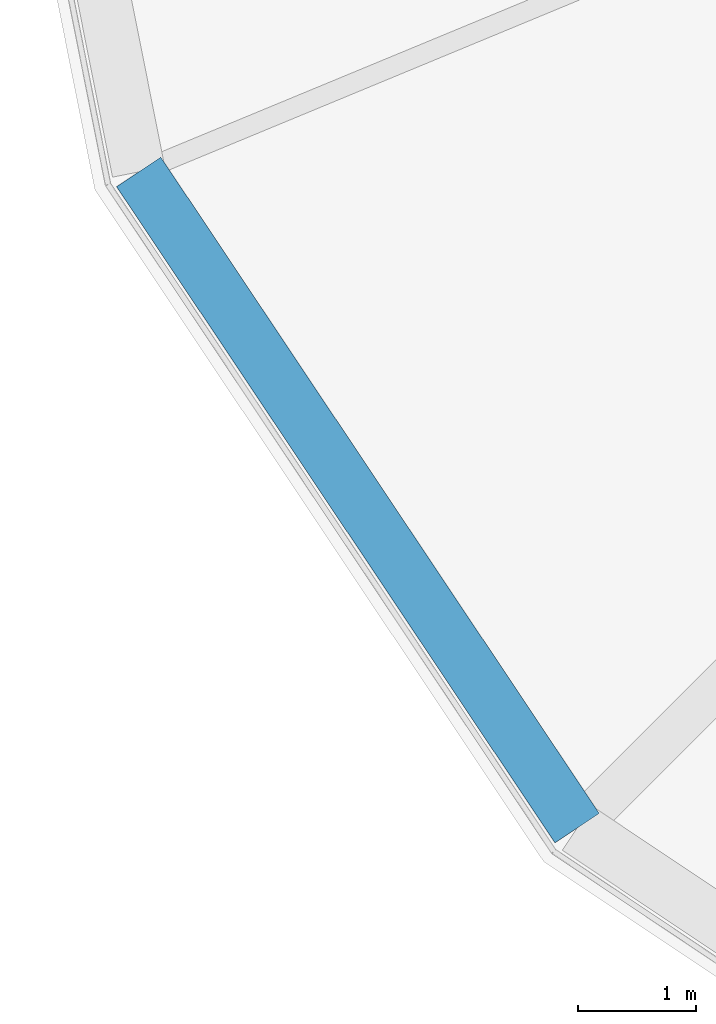
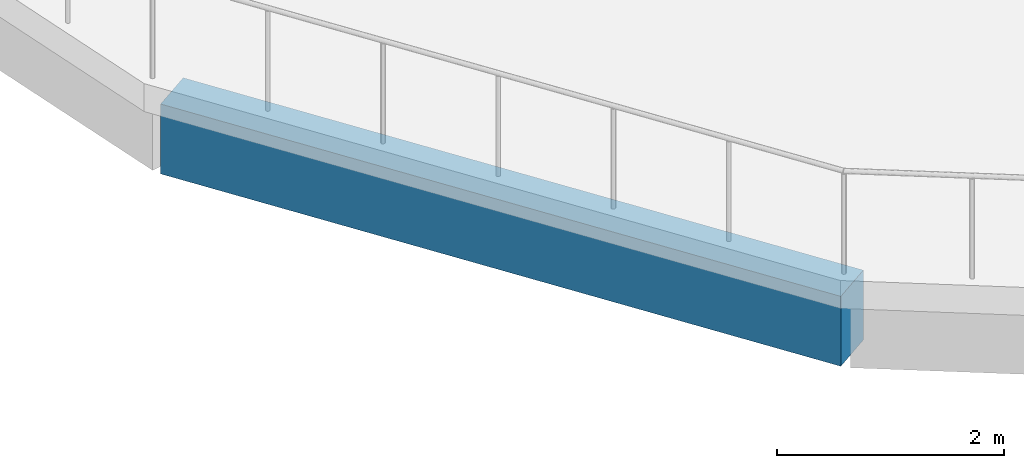
# One storey, part 44 of 108: 1 beam.
"""IFC4 building model written with IfcOpenShell, lengths in metres."""

from ifc_helpers import new_model, si_unit, direction, frame, origin, origin_2d, place, context, subcontext, project, spatial, rectangle, extrude, material, material_profile, profile_set, type_object, element, save


model = new_model("IFC4")

# Units and contexts
model_context = context("Model", 3, precision=1e-05, world=origin(), true_north=direction((0.0, 1.0)))
body_context = subcontext(model_context, "Body", "Model", "MODEL_VIEW")
ifc_project = project(units=[si_unit("LENGTHUNIT", "METRE"), si_unit("AREAUNIT", "SQUARE_METRE"), si_unit("VOLUMEUNIT", "CUBIC_METRE"), si_unit("PLANEANGLEUNIT", "RADIAN"), si_unit("MASSUNIT", "GRAM", prefix="KILO")], contexts=[model_context])

# Site, building, storey
site_placement = place(None, origin())
site = spatial("IfcSite", under=ifc_project, at=site_placement, CompositionType="ELEMENT")
building_placement = place(site_placement, origin())
building = spatial("IfcBuilding", under=site, at=building_placement, Name="Vespera Passage Community Centre", CompositionType="ELEMENT")
storey_placement = place(building_placement, frame((0.0, 0.0, 12.60009765625)))
storey = spatial("IfcBuildingStorey", under=building, at=storey_placement, Name="L03", CompositionType="ELEMENT", Elevation=12.60009765625)

# Beam
ifc_material = material(Name="Concrete f'c 35 MPa", Category="concrete")
ifc_material_profile = material_profile(ifc_material, rectangle(XDim=0.449951171875, YDim=0.75, at=origin_2d()), Name="RC450X750")
ifc_profile_set = profile_set([ifc_material_profile], Name="Concrete f'c 35 MPa")
beam_type = type_object("IfcBeamType", Name="BM-SP-450X750E", PredefinedType="SPANDREL", material=ifc_profile_set)
beam_placement = place(storey_placement, frame((125.20166015625, 18.4560546875, -0.675048828125), z_axis=(0.55556964639, -0.831470004276, 0.0), x_axis=(0.831470004276, 0.55556964639, 0.0)))
element("IfcBeam", 1, at=beam_placement, inside=storey, type_object=beam_type, Name="V3 L03 Spandrel 10", PredefinedType="SPANDREL", context=body_context, shape_type="SweptSolid", body=[
    extrude(rectangle(XDim=0.449951171875, YDim=0.75, at=origin_2d()), origin(), (0.0, 0.0, 1.0), 6.672119140625),
])

save(model, "model.ifc")
